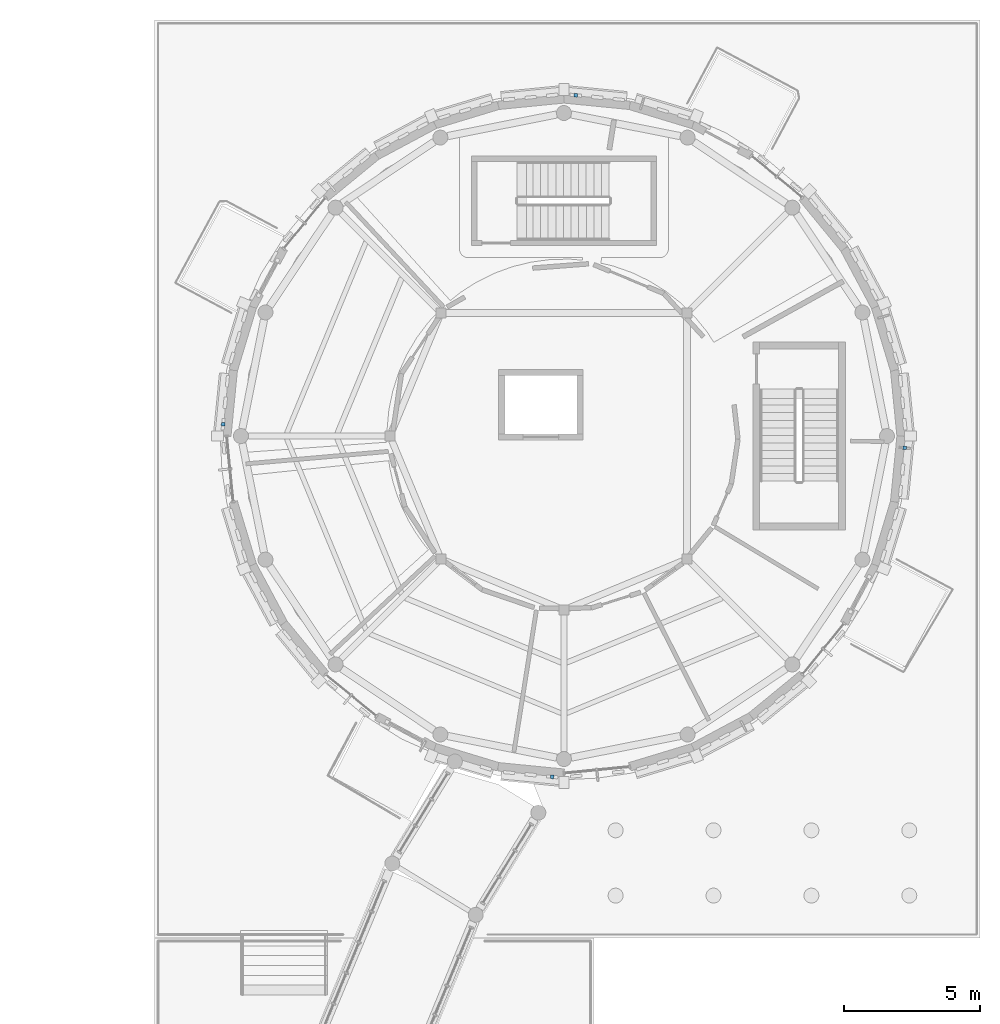
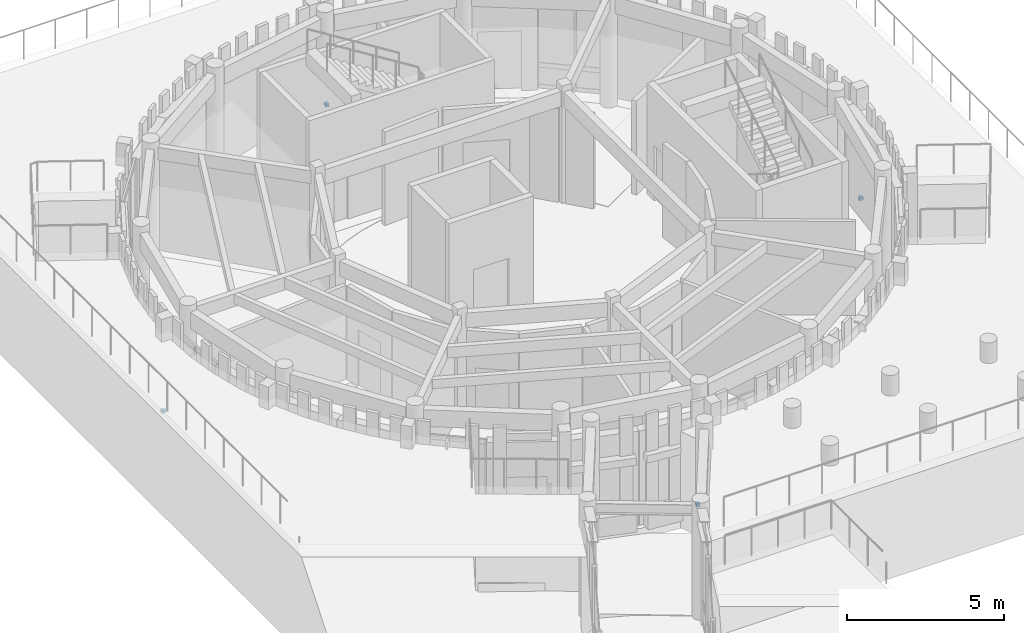
# One storey, part 65 of 94: 4 discrete accessories.
"""IFC4 building model written with IfcOpenShell, lengths in metres."""

from ifc_helpers import new_model, si_unit, direction, frame, origin, origin_2d, place, context, subcontext, project, spatial, rectangle, extrude, material, type_object, element, save


model = new_model("IFC4")

# Units and contexts
model_context = context("Model", 3, precision=1e-05, world=origin(), true_north=direction((0.0, 1.0)))
body_context = subcontext(model_context, "Body", "Model", "MODEL_VIEW")
ifc_project = project(units=[si_unit("LENGTHUNIT", "METRE"), si_unit("AREAUNIT", "SQUARE_METRE"), si_unit("VOLUMEUNIT", "CUBIC_METRE"), si_unit("PLANEANGLEUNIT", "RADIAN"), si_unit("MASSUNIT", "GRAM", prefix="KILO")], contexts=[model_context])

# Site, building, storey
site_placement = place(None, origin())
site = spatial("IfcSite", under=ifc_project, at=site_placement, CompositionType="ELEMENT")
building_placement = place(site_placement, origin())
building = spatial("IfcBuilding", under=site, at=building_placement, Name="Aldenvaro Health Centre", CompositionType="ELEMENT")
storey_placement = place(building_placement, origin())
storey = spatial("IfcBuildingStorey", under=building, at=storey_placement, Name="L00", CompositionType="ELEMENT", Elevation=0.0)

# Discrete accessories
ifc_material = material(Name="Stainless Steel AISI 316", Category="steel")
discrete_accessory_type = type_object("IfcDiscreteAccessoryType", Name="ACC-BRK-01", PredefinedType="BRACKET", material=ifc_material)
for number, where, z_axis, x_axis, name in (
    (1, (167.032958984375, 99.06494140625, 0.18994140625), (0.0, 0.0, 1.0), (-0.097914988926, -0.995194782414, 0.0), "D2 L00 stainless fin bracket 1"),
    (2, (154.06494140625, 86.967041015625, 0.18994140625), (0.0, 0.0, 1.0), (-0.995194782414, 0.097914988926, 0.0), "D2 L00 stainless fin bracket 9"),
    (3, (141.967041015625, 99.93505859375, 0.18994140625), (0.0, 0.0, 1.0), (0.097914988926, 0.995194782414, 0.0), "D2 L00 stainless fin bracket 17"),
    (4, (154.93505859375, 112.032958984375, 0.18994140625), (0.0, 0.0, 1.0), (0.995194782414, -0.097914988926, 0.0), "D2 L00 stainless fin bracket 25"),
):
    element("IfcDiscreteAccessory", number, at=place(storey_placement, frame(where, z_axis=z_axis, x_axis=x_axis)), inside=storey, type_object=discrete_accessory_type, Name=name, PredefinedType="BRACKET", context=body_context, shape_type="SweptSolid", body=[
        extrude(rectangle(XDim=0.1201171875, YDim=0.139892578125, at=origin_2d()), origin(), (0.0, 0.0, 1.0), 0.1201171875),
    ])

save(model, "model.ifc")
